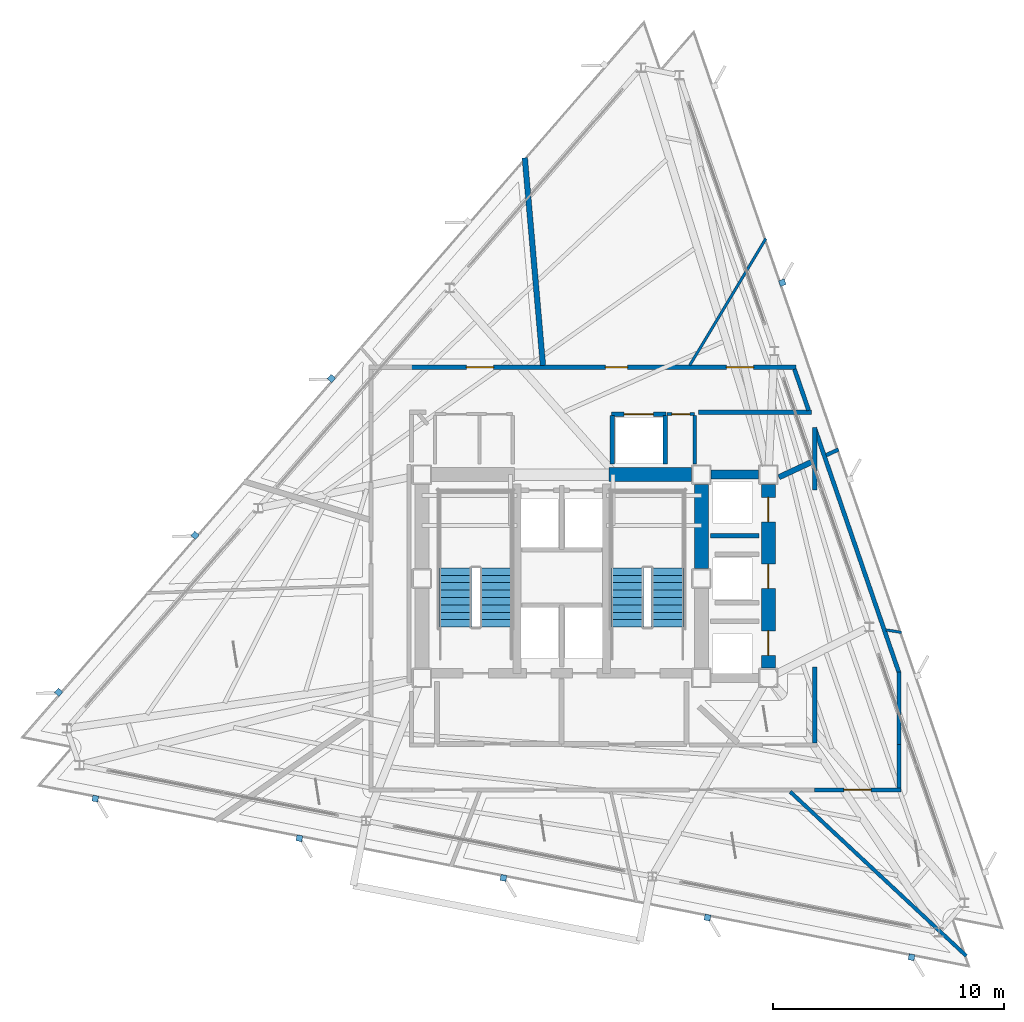
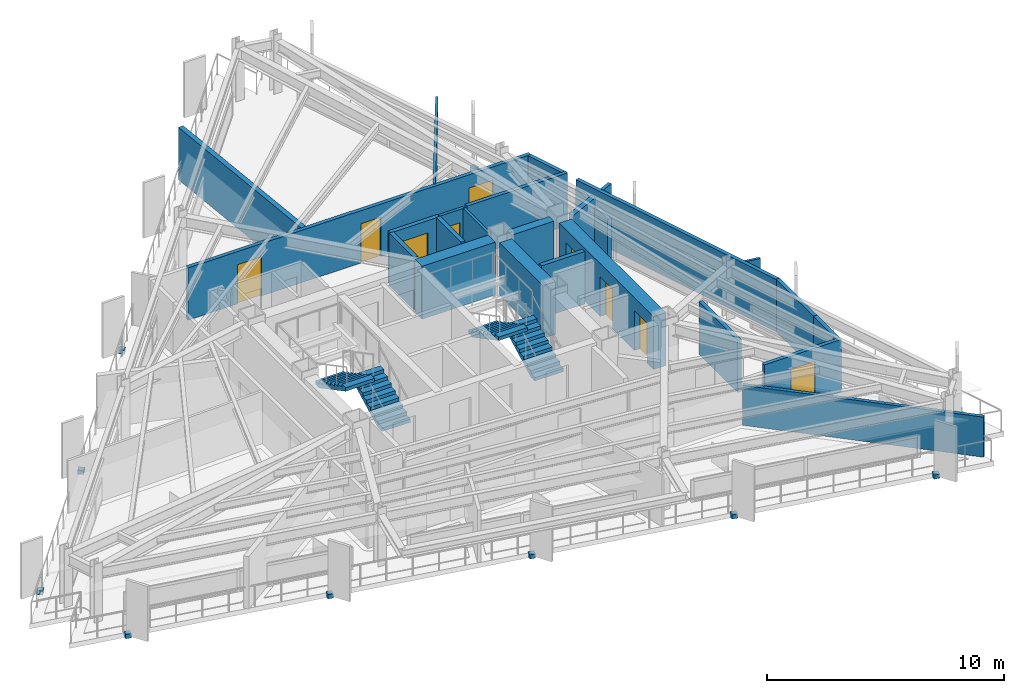
# One storey, part 10 of 14: 25 walls, 9 discrete accessories, 9 doors, 4 stair flights, 9 openings, 2 elements without a shape of their own.
"""IFC4 building model written with IfcOpenShell, lengths in metres."""

from ifc_helpers import new_model, si_unit, direction, frame, frame_2d, origin, origin_2d, place, context, subcontext, project, spatial, polyline, rectangle, outline, extrude, material, layer, layer_set, type_object, element, fill, aggregate, save


model = new_model("IFC4")

# Units and contexts
model_context = context("Model", 3, precision=1e-05, world=origin(), true_north=direction((0.0, 1.0)))
body_context = subcontext(model_context, "Body", "Model", "MODEL_VIEW")
ifc_project = project(units=[si_unit("LENGTHUNIT", "METRE"), si_unit("AREAUNIT", "SQUARE_METRE"), si_unit("VOLUMEUNIT", "CUBIC_METRE"), si_unit("PLANEANGLEUNIT", "RADIAN"), si_unit("MASSUNIT", "GRAM", prefix="KILO")], contexts=[model_context])

# Site, building, storey
site_placement = place(None, origin())
site = spatial("IfcSite", under=ifc_project, at=site_placement, CompositionType="ELEMENT")
building_placement = place(site_placement, origin())
building = spatial("IfcBuilding", under=site, at=building_placement, Name="Rocaltana Carrier Exchange", CompositionType="ELEMENT")
storey_placement = place(building_placement, frame((0.0, 0.0, 168.47998046875)))
storey = spatial("IfcBuildingStorey", under=building, at=storey_placement, Name="L53", CompositionType="ELEMENT", Elevation=168.47998046875)

# Walls
ifc_material_1 = material(Name="Double Acoustic Gypsum Partition", Category="gypsum")
ifc_layer_1 = layer(ifc_material_1, 0.159912109375)
ifc_layer_set_1 = layer_set([ifc_layer_1], Name="Double Acoustic Gypsum Partition")
wall_type_1 = type_object("IfcWallType", Name="Acoustic Studio Partition 160 EI60", PredefinedType="PARTITIONING", material=ifc_layer_set_1)
wall_1_placement = place(storey_placement, frame((9.89794921875, -9.22998046875, 0.0), z_axis=(0.0, 0.0, 1.0), x_axis=(0.731357336059, -0.681994462582, 0.0)))
element("IfcWall", 1, at=wall_1_placement, inside=storey, type_object=wall_type_1, Name="L53 Suite Divider Wall D6", PredefinedType="PARTITIONING", context=body_context, shape_type="SweptSolid", body=[
    extrude(rectangle(XDim=10.42578125, YDim=0.159912109375, at=frame_2d((5.212890625, 0.0))), origin(), (0.0, 0.0, 1.0), 2.06201171875),
])
wall_2_placement = place(storey_placement, frame((11.44921875, 5.3388671875, 0.0), z_axis=(0.0, 0.0, 1.0), x_axis=(0.906277748429, 0.422682673768, 0.0)))
element("IfcWall", 2, at=wall_2_placement, inside=storey, type_object=wall_type_1, Name="L53 Suite Divider Wall D9", PredefinedType="PARTITIONING", context=body_context, shape_type="SweptSolid", body=[
    extrude(rectangle(XDim=0.59326171875, YDim=0.159912109375, at=frame_2d((0.296630859375, 0.0))), origin(), (0.0, 0.0, 1.0), 2.693115234375),
])
ifc_material_2 = material(Name="Concrete C50/60", Category="concrete")
ifc_layer_2 = layer(ifc_material_2, 0.39990234375)
ifc_layer_set_2 = layer_set([ifc_layer_2], Name="Concrete C50/60")
wall_type_2 = type_object("IfcWallType", Name="Core Internal Shear Wall 400", PredefinedType="SHEAR", material=ifc_layer_set_2)
wall_3_placement = place(storey_placement, frame((6.47509765625, 4.5, 0.0), z_axis=(0.0, 0.0, 1.0), x_axis=(1.0, 0.0, 0.0)))
element("IfcWall", 3, at=wall_3_placement, inside=storey, type_object=wall_type_2, Name="L53 Core Shear Wall CW-EWN", PredefinedType="SHEAR", context=body_context, shape_type="SweptSolid", body=[
    extrude(rectangle(XDim=2.0498046875, YDim=0.39990234375, at=frame_2d((1.02490234375, 0.0))), origin(), (0.0, 0.0, 1.0), 2.718017578125),
])
ifc_material_3 = material(Name="Concrete C50/60", Category="concrete")
ifc_layer_3 = layer(ifc_material_3, 0.60009765625)
ifc_layer_set_3 = layer_set([ifc_layer_3], Name="Concrete C50/60")
wall_type_3 = type_object("IfcWallType", Name="Core Shear Wall 600", PredefinedType="SHEAR", material=ifc_layer_set_3)
wall_4_placement = place(storey_placement, frame((6.050048828125, 0.425048828125, 0.0), z_axis=(0.0, 0.0, 1.0), x_axis=(0.0, 1.0, 0.0)))
element("IfcWall", 4, at=wall_4_placement, inside=storey, type_object=wall_type_3, Name="L53 Core Shear Wall CW-EN", PredefinedType="SHEAR", context=body_context, shape_type="SweptSolid", body=[
    extrude(rectangle(XDim=3.64990234375, YDim=0.60009765625, at=frame_2d((1.824951171875, 0.0))), origin(), (0.0, 0.0, 1.0), 2.718017578125),
])
wall_5_placement = place(storey_placement, frame((2.050048828125, 4.5, 0.0), z_axis=(0.0, 0.0, 1.0), x_axis=(1.0, 0.0, 0.0)))
element("IfcWall", 5, at=wall_5_placement, inside=storey, type_object=wall_type_3, Name="L53 Core Shear Wall CW-N2", PredefinedType="SHEAR", context=body_context, shape_type="SweptSolid", body=[
    extrude(rectangle(XDim=3.574951171875, YDim=0.60009765625, at=frame_2d((1.78759765625, 0.0))), origin(), (0.0, 0.0, 1.0), 2.718017578125),
])

# Wall, openings, doors
wall_6_placement = place(storey_placement, frame((8.949951171875, -3.875, 0.0), z_axis=(0.0, 0.0, 1.0), x_axis=(0.0, 1.0, 0.0)))
wall_6 = element("IfcWall", 6, at=wall_6_placement, inside=storey, type_object=wall_type_3, Name="L53 Core Shear Wall CW-EW", PredefinedType="SHEAR", context=body_context, shape_type="SweptSolid", body=[
    extrude(rectangle(XDim=7.949951171875, YDim=0.60009765625, at=frame_2d((3.97509765625, 0.0))), origin(), (0.0, 0.0, 1.0), 2.718017578125),
])
opening_1_placement = place(wall_6_placement, frame((0.550048828125, 0.0, 0.0)))
opening_1 = element("IfcOpeningElement", 7, at=opening_1_placement, cuts=wall_6, Name="Opening LD-110", PredefinedType="OPENING", context=body_context, shape_type="SweptSolid", body=[
    extrude(rectangle(XDim=1.06005859375, YDim=2.0400390625, at=frame_2d((0.530029296875, 1.02001953125))), frame((0.0, 0.31005859375, 0.0), z_axis=(0.0, -1.0, 0.0), x_axis=(1.0, 0.0, 0.0)), (0.0, 0.0, 1.0), 0.6201171875),
])
opening_2_placement = place(wall_6_placement, frame((3.445068359375, 0.0, 0.0)))
opening_2 = element("IfcOpeningElement", 8, at=opening_2_placement, cuts=wall_6, Name="Opening LD-110", PredefinedType="OPENING", context=body_context, shape_type="SweptSolid", body=[
    extrude(rectangle(XDim=1.06005859375, YDim=2.0400390625, at=frame_2d((0.530029296875, 1.02001953125))), frame((0.0, 0.31005859375, 0.0), z_axis=(0.0, -1.0, 0.0), x_axis=(1.0, 0.0, 0.0)), (0.0, 0.0, 1.0), 0.6201171875),
])
opening_3_placement = place(wall_6_placement, frame((6.330078125, 0.0, 0.0)))
opening_3 = element("IfcOpeningElement", 9, at=opening_3_placement, cuts=wall_6, Name="Opening LD-110", PredefinedType="OPENING", context=body_context, shape_type="SweptSolid", body=[
    extrude(rectangle(XDim=1.06005859375, YDim=2.0400390625, at=frame_2d((0.530029296875, 1.02001953125))), frame((0.0, 0.31005859375, 0.0), z_axis=(0.0, -1.0, 0.0), x_axis=(1.0, 0.0, 0.0)), (0.0, 0.0, 1.0), 0.6201171875),
])
ifc_material_4 = material(Name="Brushed Stainless Sliding Door Leaf", Category="steel")
door_type_1 = type_object("IfcDoorType", Name="Lift Landing Sliding Door 1060x2040", OperationType="NOTDEFINED", PredefinedType="DOOR", material=ifc_material_4)
door_1_placement = place(opening_1_placement, origin())
door_1 = element("IfcDoor", 10, at=door_1_placement, inside=storey, type_object=door_type_1, Name="L53 Mid-Rise Lift PL-M1 Landing Door", OperationType="SLIDING_TO_LEFT", OverallHeight=2.0400390625, OverallWidth=1.06005859375, PredefinedType="DOOR", context=body_context, shape_type="SweptSolid", body=[
    extrude(rectangle(XDim=1.06005859375, YDim=2.0400390625, at=frame_2d((0.530029296875, 1.02001953125))), frame((0.0, 0.02490234375, 0.0), z_axis=(0.0, -1.0, 0.0), x_axis=(1.0, 0.0, 0.0)), (0.0, 0.0, 1.0), 0.050048828125),
])
fill(opening_1, door_1)
door_2_placement = place(opening_2_placement, origin())
door_2 = element("IfcDoor", 11, at=door_2_placement, inside=storey, type_object=door_type_1, Name="L53 Mid-Rise Lift PL-M2 Landing Door", OperationType="SLIDING_TO_RIGHT", OverallHeight=2.0400390625, OverallWidth=1.06005859375, PredefinedType="DOOR", context=body_context, shape_type="SweptSolid", body=[
    extrude(rectangle(XDim=1.06005859375, YDim=2.0400390625, at=frame_2d((0.530029296875, 1.02001953125))), frame((0.0, 0.02490234375, 0.0), z_axis=(0.0, -1.0, 0.0), x_axis=(1.0, 0.0, 0.0)), (0.0, 0.0, 1.0), 0.050048828125),
])
fill(opening_2, door_2)
door_3_placement = place(opening_3_placement, origin())
door_3 = element("IfcDoor", 12, at=door_3_placement, inside=storey, type_object=door_type_1, Name="L53 Mid-Rise Lift PL-M3 Landing Door", OperationType="SLIDING_TO_LEFT", OverallHeight=2.0400390625, OverallWidth=1.06005859375, PredefinedType="DOOR", context=body_context, shape_type="SweptSolid", body=[
    extrude(rectangle(XDim=1.06005859375, YDim=2.0400390625, at=frame_2d((0.530029296875, 1.02001953125))), frame((0.0, 0.02490234375, 0.0), z_axis=(0.0, -1.0, 0.0), x_axis=(1.0, 0.0, 0.0)), (0.0, 0.0, 1.0), 0.050048828125),
])
fill(opening_3, door_3)

ifc_material_5 = material(Name="Gypsum & Steel Stud Partition", Category="steel")
ifc_layer_4 = layer(ifc_material_5, 0.179931640625)
ifc_layer_set_4 = layer_set([ifc_layer_4], Name="Gypsum & Steel Stud Partition")
wall_type_4 = type_object("IfcWallType", Name="Corridor Fire Partition 180 EI60", PredefinedType="PARTITIONING", material=ifc_layer_set_4)
wall_7_placement = place(storey_placement, frame((-6.52001953125, 9.14990234375, 0.0), z_axis=(0.0, 0.0, 1.0), x_axis=(1.0, 0.0, 0.0)))
wall_7 = element("IfcWall", 13, at=wall_7_placement, inside=storey, type_object=wall_type_4, Name="L53 Corridor Partition 6", PredefinedType="PARTITIONING", context=body_context, shape_type="SweptSolid", body=[
    extrude(rectangle(XDim=16.662353515625, YDim=0.179931640625, at=frame_2d((8.3310546875, 0.0))), origin(), (0.0, 0.0, 1.0), 2.693115234375),
])
opening_4_placement = place(wall_7_placement, frame((13.650390625, 0.0, 0.0)))
opening_4 = element("IfcOpeningElement", 14, at=opening_4_placement, cuts=wall_7, Name="Opening D-SU120", PredefinedType="OPENING", context=body_context, shape_type="SweptSolid", body=[
    extrude(rectangle(XDim=1.179931640625, YDim=2.02001953125, at=frame_2d((0.58984375, 1.010009765625))), frame((0.0, 0.099853515625, 0.0), z_axis=(0.0, -1.0, 0.0), x_axis=(1.0, 0.0, 0.0)), (0.0, 0.0, 1.0), 0.199951171875),
])
opening_5_placement = place(wall_7_placement, frame((8.41259765625, 0.0, 0.0)))
opening_5 = element("IfcOpeningElement", 15, at=opening_5_placement, cuts=wall_7, Name="Opening D-RM098", PredefinedType="OPENING", context=body_context, shape_type="SweptSolid", body=[
    extrude(rectangle(XDim=0.9599609375, YDim=2.02001953125, at=frame_2d((0.47998046875, 1.010009765625))), frame((0.0, 0.099853515625, 0.0), z_axis=(0.0, -1.0, 0.0), x_axis=(1.0, 0.0, 0.0)), (0.0, 0.0, 1.0), 0.199951171875),
])
opening_6_placement = place(wall_7_placement, frame((2.396240234375, 0.0, 0.0)))
opening_6 = element("IfcOpeningElement", 16, at=opening_6_placement, cuts=wall_7, Name="Opening D-SU120", PredefinedType="OPENING", context=body_context, shape_type="SweptSolid", body=[
    extrude(rectangle(XDim=1.179931640625, YDim=2.02001953125, at=frame_2d((0.58984375, 1.010009765625))), frame((0.0, 0.099853515625, 0.0), z_axis=(0.0, -1.0, 0.0), x_axis=(1.0, 0.0, 0.0)), (0.0, 0.0, 1.0), 0.199951171875),
])
ifc_material_6 = material(Name="Engineered Hardwood Timber", Category="wood")
door_type_2 = type_object("IfcDoorType", Name="Suite Double Entrance Door 1180x2020", OperationType="NOTDEFINED", PredefinedType="DOOR", material=ifc_material_6)
door_4_placement = place(opening_4_placement, origin())
door_4 = element("IfcDoor", 17, at=door_4_placement, inside=storey, type_object=door_type_2, Name="L53 Carrier Peering Suite Entrance Door", OperationType="SINGLE_SWING_LEFT", OverallHeight=2.02001953125, OverallWidth=1.179931640625, PredefinedType="DOOR", context=body_context, shape_type="SweptSolid", body=[
    extrude(rectangle(XDim=1.179931640625, YDim=2.02001953125, at=frame_2d((0.58984375, 1.010009765625))), frame((0.0, 0.02490234375, 0.0), z_axis=(0.0, -1.0, 0.0), x_axis=(1.0, 0.0, 0.0)), (0.0, 0.0, 1.0), 0.050048828125),
])
fill(opening_4, door_4)
door_5_placement = place(opening_6_placement, origin())
door_5 = element("IfcDoor", 18, at=door_5_placement, inside=storey, type_object=door_type_2, Name="L53 Carrier Peering Suite Entrance Door", OperationType="SINGLE_SWING_LEFT", OverallHeight=2.02001953125, OverallWidth=1.179931640625, PredefinedType="DOOR", context=body_context, shape_type="SweptSolid", body=[
    extrude(rectangle(XDim=1.179931640625, YDim=2.02001953125, at=frame_2d((0.58984375, 1.010009765625))), frame((0.0, 0.02490234375, 0.0), z_axis=(0.0, -1.0, 0.0), x_axis=(1.0, 0.0, 0.0)), (0.0, 0.0, 1.0), 0.050048828125),
])
fill(opening_6, door_5)
ifc_material_7 = material(Name="Engineered Hardwood Timber", Category="wood")
door_type_3 = type_object("IfcDoorType", Name="Workspace Single Door 960x2020", OperationType="NOTDEFINED", PredefinedType="DOOR", material=ifc_material_7)
door_6_placement = place(opening_5_placement, origin())
door_6 = element("IfcDoor", 19, at=door_6_placement, inside=storey, type_object=door_type_3, Name="L53 Quiet Focus Lounge Entrance Door", OperationType="SINGLE_SWING_RIGHT", OverallHeight=2.02001953125, OverallWidth=0.9599609375, PredefinedType="DOOR", context=body_context, shape_type="SweptSolid", body=[
    extrude(rectangle(XDim=0.9599609375, YDim=2.02001953125, at=frame_2d((0.47998046875, 1.010009765625))), frame((0.0, 0.02490234375, 0.0), z_axis=(0.0, -1.0, 0.0), x_axis=(1.0, 0.0, 0.0)), (0.0, 0.0, 1.0), 0.050048828125),
])
fill(opening_5, door_6)

# Walls
wall_8_placement = place(storey_placement, frame((10.08154296875, 9.06494140625, 0.0), z_axis=(0.0, 0.0, 1.0), x_axis=(0.325550958337, -0.945524496524, 0.0)))
element("IfcWall", 20, at=wall_8_placement, inside=storey, type_object=wall_type_4, Name="L53 Corridor Partition 7", PredefinedType="PARTITIONING", context=body_context, shape_type="SweptSolid", body=[
    extrude(rectangle(XDim=1.88232421875, YDim=0.179931640625, at=frame_2d((0.941162109375, 0.0))), origin(), (0.0, 0.0, 1.0), 2.693115234375),
])
wall_9_placement = place(storey_placement, frame((10.813720703125, 7.199951171875, 0.0), z_axis=(0.0, 0.0, 1.0), x_axis=(-1.0, 0.0, 0.0)))
element("IfcWall", 21, at=wall_9_placement, inside=storey, type_object=wall_type_4, Name="L53 Corridor Partition 8", PredefinedType="PARTITIONING", context=body_context, shape_type="SweptSolid", body=[
    extrude(rectangle(XDim=4.8837890625, YDim=0.179931640625, at=frame_2d((2.44189453125, 0.0))), origin(), (0.0, 0.0, 1.0), 2.693115234375),
])
wall_10_placement = place(storey_placement, frame((10.9599609375, -7.110107421875, 0.0), z_axis=(0.0, 0.0, 1.0), x_axis=(0.0, 1.0, 0.0)))
element("IfcWall", 22, at=wall_10_placement, inside=storey, type_object=wall_type_4, Name="L53 Corridor Partition 15", PredefinedType="PARTITIONING", context=body_context, shape_type="SweptSolid", body=[
    extrude(rectangle(XDim=3.2705078125, YDim=0.179931640625, at=frame_2d((1.63525390625, 0.0))), origin(), (0.0, 0.0, 1.0), 2.693115234375),
])
wall_11_placement = place(storey_placement, frame((10.9599609375, 3.839599609375, 0.0), z_axis=(0.0, 0.0, 1.0), x_axis=(0.0, 1.0, 0.0)))
element("IfcWall", 23, at=wall_11_placement, inside=storey, type_object=wall_type_4, Name="L53 Corridor Partition 16", PredefinedType="PARTITIONING", context=body_context, shape_type="SweptSolid", body=[
    extrude(rectangle(XDim=2.694091796875, YDim=0.179931640625, at=frame_2d((1.34716796875, 0.0))), origin(), (0.0, 0.0, 1.0), 2.260009765625),
])
wall_12_placement = place(storey_placement, frame((10.95361328125, 6.53271484375, 0.0), z_axis=(0.0, 0.0, 1.0), x_axis=(0.325553439946, -0.945523642084, 0.0)))
element("IfcWall", 24, at=wall_12_placement, inside=storey, type_object=wall_type_4, Name="L53 Corridor Partition 17", PredefinedType="PARTITIONING", context=body_context, shape_type="SweptSolid", body=[
    extrude(rectangle(XDim=11.220458984375, YDim=0.179931640625, at=frame_2d((5.6103515625, 0.0))), origin(), (0.0, 0.0, 1.0), 2.693115234375),
])
wall_13_placement = place(storey_placement, frame((14.60009765625, -4.03759765625, 0.0), z_axis=(0.0, 0.0, 1.0), x_axis=(0.0, -1.0, 0.0)))
element("IfcWall", 25, at=wall_13_placement, inside=storey, type_object=wall_type_4, Name="L53 Corridor Partition 18", PredefinedType="PARTITIONING", context=body_context, shape_type="SweptSolid", body=[
    extrude(rectangle(XDim=3.182373046875, YDim=0.179931640625, at=frame_2d((1.59130859375, 0.0))), origin(), (0.0, 0.0, 1.0), 2.693115234375),
])
wall_14_placement = place(storey_placement, frame((14.60009765625, -7.179931640625, 0.0), z_axis=(0.0, 0.0, 1.0), x_axis=(0.0, -1.0, 0.0)))
element("IfcWall", 26, at=wall_14_placement, inside=storey, type_object=wall_type_4, Name="L53 Corridor Partition 19", PredefinedType="PARTITIONING", context=body_context, shape_type="SweptSolid", body=[
    extrude(rectangle(XDim=1.880126953125, YDim=0.179931640625, at=frame_2d((0.93994140625, 0.0))), origin(), (0.0, 0.0, 1.0), 2.693115234375),
])

# Wall, opening, door
wall_15_placement = place(storey_placement, frame((14.68994140625, -9.14990234375, 0.0), z_axis=(0.0, 0.0, 1.0), x_axis=(-1.0, 0.0, 0.0)))
wall_15 = element("IfcWall", 27, at=wall_15_placement, inside=storey, type_object=wall_type_4, Name="L53 Corridor Partition 20", PredefinedType="PARTITIONING", context=body_context, shape_type="SweptSolid", body=[
    extrude(rectangle(XDim=3.75, YDim=0.179931640625, at=frame_2d((1.875, 0.0))), origin(), (0.0, 0.0, 1.0), 2.693115234375),
])
opening_7_placement = place(wall_15_placement, frame((1.284912109375, 0.0, 0.0)))
opening_7 = element("IfcOpeningElement", 28, at=opening_7_placement, cuts=wall_15, Name="Opening D-SU120", PredefinedType="OPENING", context=body_context, shape_type="SweptSolid", body=[
    extrude(rectangle(XDim=1.179931640625, YDim=2.02001953125, at=frame_2d((0.58984375, 1.010009765625))), frame((0.0, 0.099853515625, 0.0), z_axis=(0.0, -1.0, 0.0), x_axis=(1.0, 0.0, 0.0)), (0.0, 0.0, 1.0), 0.199951171875),
])
door_7_placement = place(opening_7_placement, origin())
door_7 = element("IfcDoor", 29, at=door_7_placement, inside=storey, type_object=door_type_2, Name="L53 Carrier Peering Suite Entrance Door", OperationType="SINGLE_SWING_LEFT", OverallHeight=2.02001953125, OverallWidth=1.179931640625, PredefinedType="DOOR", context=body_context, shape_type="SweptSolid", body=[
    extrude(rectangle(XDim=1.179931640625, YDim=2.02001953125, at=frame_2d((0.58984375, 1.010009765625))), frame((0.0, 0.02490234375, 0.0), z_axis=(0.0, -1.0, 0.0), x_axis=(1.0, 0.0, 0.0)), (0.0, 0.0, 1.0), 0.050048828125),
])
fill(opening_7, door_7)

# Walls
ifc_material_8 = material(Name="Aluminium 6063-T6 & Acoustic Glass", Category="aluminium")
ifc_layer_5 = layer(ifc_material_8, 0.114990234375)
ifc_layer_set_5 = layer_set([ifc_layer_5], Name="Aluminium 6063-T6 & Acoustic Glass")
wall_type_5 = type_object("IfcWallType", Name="Demountable Glazed Lab Partition 115", PredefinedType="MOVABLE", material=ifc_layer_set_5)
wall_16_placement = place(storey_placement, frame((14.053955078125, -2.225830078125, 0.0), z_axis=(0.0, 0.0, 1.0), x_axis=(0.987638222243, -0.156750572454, 0.0)))
element("IfcWall", 30, at=wall_16_placement, inside=storey, type_object=wall_type_5, Name="L53 Suite Divider Wall D7", PredefinedType="MOVABLE", context=body_context, shape_type="SweptSolid", body=[
    extrude(rectangle(XDim=0.668212890625, YDim=0.114990234375, at=frame_2d((0.333984375, 0.0))), origin(), (0.0, 0.0, 1.0), 2.693115234375),
])
wall_17_placement = place(storey_placement, frame((5.5458984375, 9.22998046875, 0.0), z_axis=(0.0, 0.0, 1.0), x_axis=(0.515028361349, 0.857173137123, 0.0)))
element("IfcWall", 31, at=wall_17_placement, inside=storey, type_object=wall_type_5, Name="L53 Suite Divider Wall D10", PredefinedType="MOVABLE", context=body_context, shape_type="SweptSolid", body=[
    extrude(rectangle(XDim=6.40283203125, YDim=0.114990234375, at=frame_2d((3.201416015625, 0.0))), origin(), (0.0, 0.0, 1.0), 2.693115234375),
])
ifc_material_9 = material(Name="Acoustic Calcium Silicate Partition", Category="gypsum")
ifc_layer_6 = layer(ifc_material_9, 0.239990234375)
ifc_layer_set_6 = layer_set([ifc_layer_6], Name="Acoustic Calcium Silicate Partition")
wall_type_6 = type_object("IfcWallType", Name="Heavy Lab Partition 240 EI90", PredefinedType="PARTITIONING", material=ifc_layer_set_6)
wall_18_placement = place(storey_placement, frame((9.409912109375, 4.387939453125, 0.0), z_axis=(0.0, 0.0, 1.0), x_axis=(0.906286939212, 0.422662967166, 0.0)))
element("IfcWall", 32, at=wall_18_placement, inside=storey, type_object=wall_type_6, Name="L53 Suite Divider Wall D8", PredefinedType="PARTITIONING", context=body_context, shape_type="SweptSolid", body=[
    extrude(rectangle(XDim=1.6220703125, YDim=0.239990234375, at=frame_2d((0.81103515625, 0.0))), origin(), (0.0, 0.0, 1.0), 2.693115234375),
])
wall_19_placement = place(storey_placement, frame((-0.8076171875, 9.22998046875, 0.0), z_axis=(0.0, 0.0, 1.0), x_axis=(-0.087150498686, 0.996195156874, 0.0)))
element("IfcWall", 33, at=wall_19_placement, inside=storey, type_object=wall_type_6, Name="L53 Suite Divider Wall D11", PredefinedType="PARTITIONING", context=body_context, shape_type="SweptSolid", body=[
    extrude(rectangle(XDim=9.0205078125, YDim=0.239990234375, at=frame_2d((4.51025390625, 0.0))), origin(), (0.0, 0.0, 1.0), 2.693115234375),
])
ifc_material_10 = material(Name="Reinforced Concrete Block C35/45", Category="concrete")
ifc_layer_7 = layer(ifc_material_10, 0.199951171875)
ifc_layer_set_7 = layer_set([ifc_layer_7], Name="Reinforced Concrete Block C35/45")
wall_type_7 = type_object("IfcWallType", Name="Lift Hoistway Enclosure Wall 200 EI120", PredefinedType="PARTITIONING", material=ifc_layer_set_7)
for number, where, z_axis, x_axis, name in (
    (34, (2.199951171875, 4.949951171875, 0.0), (0.0, 0.0, 1.0), (0.0, 1.0, 0.0), "L53 Goods Lift West Wall"),
    (35, (4.47998046875, 4.949951171875, 0.0), (0.0, 0.0, 1.0), (0.0, 1.0, 0.0), "L53 Goods Lift East Wall"),
):
    element("IfcWall", number, at=place(storey_placement, frame(where, z_axis=z_axis, x_axis=x_axis)), inside=storey, type_object=wall_type_7, Name=name, PredefinedType="PARTITIONING", context=body_context, shape_type="SweptSolid", body=[
        extrude(rectangle(XDim=2.10009765625, YDim=0.199951171875, at=frame_2d((1.050048828125, 0.0))), origin(), (0.0, 0.0, 1.0), 2.693115234375),
    ])

# Wall, opening, door
wall_20_placement = place(storey_placement, frame((2.14990234375, 7.1201171875, 0.0), z_axis=(0.0, 0.0, 1.0), x_axis=(1.0, 0.0, 0.0)))
wall_20 = element("IfcWall", 36, at=wall_20_placement, inside=storey, type_object=wall_type_7, Name="L53 Goods Lift Front Wall", PredefinedType="PARTITIONING", context=body_context, shape_type="SweptSolid", body=[
    extrude(rectangle(XDim=2.380126953125, YDim=0.199951171875, at=frame_2d((1.18994140625, 0.0))), origin(), (0.0, 0.0, 1.0), 2.693115234375),
])
opening_8_placement = place(wall_20_placement, frame((0.56005859375, 0.0, 0.0)))
opening_8 = element("IfcOpeningElement", 37, at=opening_8_placement, cuts=wall_20, Name="Opening LD-130", PredefinedType="OPENING", context=body_context, shape_type="SweptSolid", body=[
    extrude(rectangle(XDim=1.260009765625, YDim=2.06005859375, at=frame_2d((0.6298828125, 1.030029296875))), frame((0.0, 0.10986328125, 0.0), z_axis=(0.0, -1.0, 0.0), x_axis=(1.0, 0.0, 0.0)), (0.0, 0.0, 1.0), 0.219970703125),
])
ifc_material_11 = material(Name="Brushed Stainless Sliding Door Leaf", Category="steel")
door_type_4 = type_object("IfcDoorType", Name="Goods Lift Landing Sliding Door 1260x2060", OperationType="NOTDEFINED", PredefinedType="DOOR", material=ifc_material_11)
door_8_placement = place(opening_8_placement, origin())
door_8 = element("IfcDoor", 38, at=door_8_placement, inside=storey, type_object=door_type_4, Name="L53 Goods Lift GL-1 Landing Door", OperationType="SLIDING_TO_LEFT", OverallHeight=2.06005859375, OverallWidth=1.260009765625, PredefinedType="DOOR", context=body_context, shape_type="SweptSolid", body=[
    extrude(rectangle(XDim=1.260009765625, YDim=2.06005859375, at=frame_2d((0.6298828125, 1.030029296875))), frame((0.0, 0.02490234375, 0.0), z_axis=(0.0, -1.0, 0.0), x_axis=(1.0, 0.0, 0.0)), (0.0, 0.0, 1.0), 0.050048828125),
])
fill(opening_8, door_8)

# Walls
wall_21_placement = place(storey_placement, frame((6.449951171875, 1.85009765625, 0.0), z_axis=(0.0, 0.0, 1.0), x_axis=(1.0, 0.0, 0.0)))
element("IfcWall", 39, at=wall_21_placement, inside=storey, type_object=wall_type_7, Name="L53 Mid-Rise Shaft Divider 2", PredefinedType="PARTITIONING", context=body_context, shape_type="SweptSolid", body=[
    extrude(rectangle(XDim=2.10009765625, YDim=0.199951171875, at=frame_2d((1.050048828125, 0.0))), origin(), (0.0, 0.0, 1.0), 2.693115234375),
])
ifc_material_12 = material(Name="Moisture-Resistant Masonry C30/37", Category="masonry")
ifc_layer_8 = layer(ifc_material_12, 0.139892578125)
ifc_layer_set_8 = layer_set([ifc_layer_8], Name="Moisture-Resistant Masonry C30/37")
wall_type_8 = type_object("IfcWallType", Name="Wet-Area Sanitary Partition 140", PredefinedType="PARTITIONING", material=ifc_layer_set_8)
wall_22_placement = place(storey_placement, frame((5.760009765625, 4.949951171875, 0.0), z_axis=(0.0, 0.0, 1.0), x_axis=(0.0, 1.0, 0.0)))
element("IfcWall", 40, at=wall_22_placement, inside=storey, type_object=wall_type_8, Name="L53 Riser East Wall", PredefinedType="PARTITIONING", context=body_context, shape_type="SweptSolid", body=[
    extrude(rectangle(XDim=2.10009765625, YDim=0.139892578125, at=frame_2d((1.050048828125, 0.0))), origin(), (0.0, 0.0, 1.0), 2.693115234375),
])

# Wall, opening, door
wall_23_placement = place(storey_placement, frame((4.56005859375, 7.1201171875, 0.0), z_axis=(0.0, 0.0, 1.0), x_axis=(1.0, 0.0, 0.0)))
wall_23 = element("IfcWall", 41, at=wall_23_placement, inside=storey, type_object=wall_type_8, Name="L53 Riser North Wall", PredefinedType="PARTITIONING", context=body_context, shape_type="SweptSolid", body=[
    extrude(rectangle(XDim=1.199951171875, YDim=0.139892578125, at=frame_2d((0.60009765625, 0.0))), origin(), (0.0, 0.0, 1.0), 2.693115234375),
])
opening_9_placement = place(wall_23_placement, frame((0.2099609375, 0.0, 0.0)))
opening_9 = element("IfcOpeningElement", 42, at=opening_9_placement, cuts=wall_23, Name="Opening D-RS082", PredefinedType="OPENING", context=body_context, shape_type="SweptSolid", body=[
    extrude(rectangle(XDim=0.780029296875, YDim=2.010009765625, at=frame_2d((0.39013671875, 1.0048828125))), frame((0.0, 0.079833984375, 0.0), z_axis=(0.0, -1.0, 0.0), x_axis=(1.0, 0.0, 0.0)), (0.0, 0.0, 1.0), 0.159912109375),
])
ifc_material_13 = material(Name="Hollow Metal Access Door Leaf", Category="steel")
door_type_5 = type_object("IfcDoorType", Name="Riser & Service Closet Door 780x2010", OperationType="NOTDEFINED", PredefinedType="DOOR", material=ifc_material_13)
door_9_placement = place(opening_9_placement, origin())
door_9 = element("IfcDoor", 43, at=door_9_placement, inside=storey, type_object=door_type_5, Name="L53 Fibre Riser Closet Door", OperationType="SINGLE_SWING_RIGHT", OverallHeight=2.010009765625, OverallWidth=0.780029296875, PredefinedType="DOOR", context=body_context, shape_type="SweptSolid", body=[
    extrude(rectangle(XDim=0.780029296875, YDim=2.010009765625, at=frame_2d((0.39013671875, 1.0048828125))), frame((0.0, 0.02490234375, 0.0), z_axis=(0.0, -1.0, 0.0), x_axis=(1.0, 0.0, 0.0)), (0.0, 0.0, 1.0), 0.050048828125),
])
fill(opening_9, door_9)

# Stair, stair flights
ifc_material_14 = material(Name="Precast concrete C45/55", Category="concrete")
stair_type = type_object("IfcStairType", Name="Standard Dog-Leg Stair 160", PredefinedType="HALF_TURN_STAIR", material=ifc_material_14)
stair_1_placement = place(storey_placement, origin())
stair_1 = element("IfcStair", 44, at=stair_1_placement, inside=storey, type_object=stair_type, Name="L53 Core West Exit Stair ST-1", PredefinedType="HALF_TURN_STAIR")
ifc_material_15 = material(Name="Precast concrete C45/55", Category="concrete")
stair_flight_type = type_object("IfcStairFlightType", Name="Precast Stair Flight 160", PredefinedType="STRAIGHT", material=ifc_material_15)
stair_flight_1_placement = place(storey_placement, frame((-2.840087890625, -2.10009765625, 0.0), z_axis=(0.0, 0.0, 1.0), x_axis=(0.0, 1.0, 0.0)))
stair_flight_1 = element("IfcStairFlight", 45, at=stair_flight_1_placement, type_object=stair_flight_type, Name="ST-1 flight 1", NumberOfRisers=9, NumberOfTreads=8, PredefinedType="STRAIGHT", RiserHeight=0.168888889, TreadLength=0.32, context=body_context, shape_type="SweptSolid", body=[
    extrude(outline(polyline([(0.0, 0.0), (0.0, 0.1689453125), (0.320068359375, 0.1689453125), (0.320068359375, 0.337890625), (0.639892578125, 0.337890625), (0.639892578125, 0.506591796875), (0.9599609375, 0.506591796875), (0.9599609375, 0.675537109375), (1.280029296875, 0.675537109375), (1.280029296875, 0.844482421875), (1.60009765625, 0.844482421875), (1.60009765625, 1.013427734375), (1.919921875, 1.013427734375), (1.919921875, 1.18212890625), (2.239990234375, 1.18212890625), (2.239990234375, 1.35107421875), (2.56005859375, 1.35107421875), (2.56005859375, 1.52001953125), (2.56005859375, 1.17041015625), (0.342529296875, 0.0), (0.0, 0.0)])), frame((0.0, 0.699951171875, 0.0), z_axis=(0.0, -1.0, 0.0), x_axis=(1.0, 0.0, 0.0)), (0.0, 0.0, 1.0), 1.39990234375),
])
stair_flight_2_placement = place(storey_placement, frame((-4.60009765625, 0.4599609375, 1.52001953125), z_axis=(0.0, 0.0, 1.0), x_axis=(0.0, -1.0, 0.0)))
stair_flight_2 = element("IfcStairFlight", 46, at=stair_flight_2_placement, type_object=stair_flight_type, Name="ST-1 flight 2", NumberOfRisers=9, NumberOfTreads=8, PredefinedType="STRAIGHT", RiserHeight=0.168888889, TreadLength=0.32, context=body_context, shape_type="SweptSolid", body=[
    extrude(outline(polyline([(0.0, 0.0), (0.0, 0.1689453125), (0.320068359375, 0.1689453125), (0.320068359375, 0.337890625), (0.639892578125, 0.337890625), (0.639892578125, 0.506591796875), (0.9599609375, 0.506591796875), (0.9599609375, 0.675537109375), (1.280029296875, 0.675537109375), (1.280029296875, 0.844482421875), (1.60009765625, 0.844482421875), (1.60009765625, 1.013427734375), (1.919921875, 1.013427734375), (1.919921875, 1.18212890625), (2.239990234375, 1.18212890625), (2.239990234375, 1.35107421875), (2.56005859375, 1.35107421875), (2.56005859375, 1.52001953125), (2.56005859375, 1.17041015625), (0.342529296875, 0.0), (0.0, 0.0)])), frame((0.0, 0.699951171875, 0.0), z_axis=(0.0, -1.0, 0.0), x_axis=(1.0, 0.0, 0.0)), (0.0, 0.0, 1.0), 1.39990234375),
])
aggregate(stair_1, [stair_flight_1, stair_flight_2])

stair_2_placement = place(storey_placement, origin())
stair_2 = element("IfcStair", 47, at=stair_2_placement, inside=storey, type_object=stair_type, Name="L53 Core East Exit Stair ST-2", PredefinedType="HALF_TURN_STAIR")
stair_flight_3_placement = place(storey_placement, frame((4.60009765625, -2.10009765625, 0.0), z_axis=(0.0, 0.0, 1.0), x_axis=(0.0, 1.0, 0.0)))
stair_flight_3 = element("IfcStairFlight", 48, at=stair_flight_3_placement, type_object=stair_flight_type, Name="ST-2 flight 1", NumberOfRisers=9, NumberOfTreads=8, PredefinedType="STRAIGHT", RiserHeight=0.168888889, TreadLength=0.32, context=body_context, shape_type="SweptSolid", body=[
    extrude(outline(polyline([(0.0, 0.0), (0.0, 0.1689453125), (0.320068359375, 0.1689453125), (0.320068359375, 0.337890625), (0.639892578125, 0.337890625), (0.639892578125, 0.506591796875), (0.9599609375, 0.506591796875), (0.9599609375, 0.675537109375), (1.280029296875, 0.675537109375), (1.280029296875, 0.844482421875), (1.60009765625, 0.844482421875), (1.60009765625, 1.013427734375), (1.919921875, 1.013427734375), (1.919921875, 1.18212890625), (2.239990234375, 1.18212890625), (2.239990234375, 1.35107421875), (2.56005859375, 1.35107421875), (2.56005859375, 1.52001953125), (2.56005859375, 1.17041015625), (0.342529296875, 0.0), (0.0, 0.0)])), frame((0.0, 0.699951171875, 0.0), z_axis=(0.0, -1.0, 0.0), x_axis=(1.0, 0.0, 0.0)), (0.0, 0.0, 1.0), 1.39990234375),
])
stair_flight_4_placement = place(storey_placement, frame((2.840087890625, 0.4599609375, 1.52001953125), z_axis=(0.0, 0.0, 1.0), x_axis=(0.0, -1.0, 0.0)))
stair_flight_4 = element("IfcStairFlight", 49, at=stair_flight_4_placement, type_object=stair_flight_type, Name="ST-2 flight 2", NumberOfRisers=9, NumberOfTreads=8, PredefinedType="STRAIGHT", RiserHeight=0.168888889, TreadLength=0.32, context=body_context, shape_type="SweptSolid", body=[
    extrude(outline(polyline([(0.0, 0.0), (0.0, 0.1689453125), (0.320068359375, 0.1689453125), (0.320068359375, 0.337890625), (0.639892578125, 0.337890625), (0.639892578125, 0.506591796875), (0.9599609375, 0.506591796875), (0.9599609375, 0.675537109375), (1.280029296875, 0.675537109375), (1.280029296875, 0.844482421875), (1.60009765625, 0.844482421875), (1.60009765625, 1.013427734375), (1.919921875, 1.013427734375), (1.919921875, 1.18212890625), (2.239990234375, 1.18212890625), (2.239990234375, 1.35107421875), (2.56005859375, 1.35107421875), (2.56005859375, 1.52001953125), (2.56005859375, 1.17041015625), (0.342529296875, 0.0), (0.0, 0.0)])), frame((0.0, 0.699951171875, 0.0), z_axis=(0.0, -1.0, 0.0), x_axis=(1.0, 0.0, 0.0)), (0.0, 0.0, 1.0), 1.39990234375),
])
aggregate(stair_2, [stair_flight_3, stair_flight_4])

# Discrete accessories
ifc_material_16 = material(Name="Brushed Architectural Stainless Metal", Category="steel")
ifc_layer_9 = layer(ifc_material_16, 0.219970703125)
ifc_layer_set_9 = layer_set([ifc_layer_9], Name="Brushed Architectural Stainless Metal")
discrete_accessory_type = type_object("IfcDiscreteAccessoryType", Name="Stainless Fin Slab-Edge Bracket 260x260x220", PredefinedType="BRACKET", material=ifc_layer_set_9)
for number, where, z_axis, x_axis, name in (
    (50, (9.55419921875, 12.808349609375, -0.2099609375), (0.0, 0.0, 1.0), (-0.325568154457, 0.945518575599, 0.0), "L53 Sandstone Fin Edge Bracket F1-04"),
    (51, (-9.96484375, 8.662353515625, -0.2099609375), (0.0, 0.0, 1.0), (-0.656059028991, -0.754709580223, 0.0), "L53 Sandstone Fin Edge Bracket F2-03"),
    (52, (-15.869384765625, 1.869873046875, -0.2099609375), (0.0, 0.0, 1.0), (-0.656059028991, -0.754709580223, 0.0), "L53 Sandstone Fin Edge Bracket F2-04"),
    (53, (-21.77392578125, -4.92236328125, -0.2099609375), (0.0, 0.0, 1.0), (-0.656059028991, -0.754709580223, 0.0), "L53 Sandstone Fin Edge Bracket F2-05"),
    (54, (-20.188720703125, -9.5263671875, -0.2099609375), (0.0, 0.0, 1.0), (0.981627183448, -0.190808995377, 0.0), "L53 Sandstone Fin Edge Bracket F3-01"),
    (55, (-11.35400390625, -11.24365234375, -0.2099609375), (0.0, 0.0, 1.0), (0.981627183448, -0.190808995377, 0.0), "L53 Sandstone Fin Edge Bracket F3-02"),
    (56, (-2.519287109375, -12.9609375, -0.2099609375), (0.0, 0.0, 1.0), (0.981627183448, -0.190808995377, 0.0), "L53 Sandstone Fin Edge Bracket F3-03"),
    (57, (6.315185546875, -14.67822265625, -0.2099609375), (0.0, 0.0, 1.0), (0.981627183448, -0.190808995377, 0.0), "L53 Sandstone Fin Edge Bracket F3-04"),
    (58, (15.14990234375, -16.3955078125, -0.2099609375), (0.0, 0.0, 1.0), (0.981627183448, -0.190808995377, 0.0), "L53 Sandstone Fin Edge Bracket F3-05"),
):
    element("IfcDiscreteAccessory", number, at=place(storey_placement, frame(where, z_axis=z_axis, x_axis=x_axis)), inside=storey, type_object=discrete_accessory_type, Name=name, PredefinedType="BRACKET", context=body_context, shape_type="SweptSolid", body=[
        extrude(rectangle(XDim=0.260009765625, YDim=0.260009765625, at=origin_2d()), origin(), (0.0, 0.0, 1.0), 0.219970703125),
    ])

save(model, "model.ifc")
